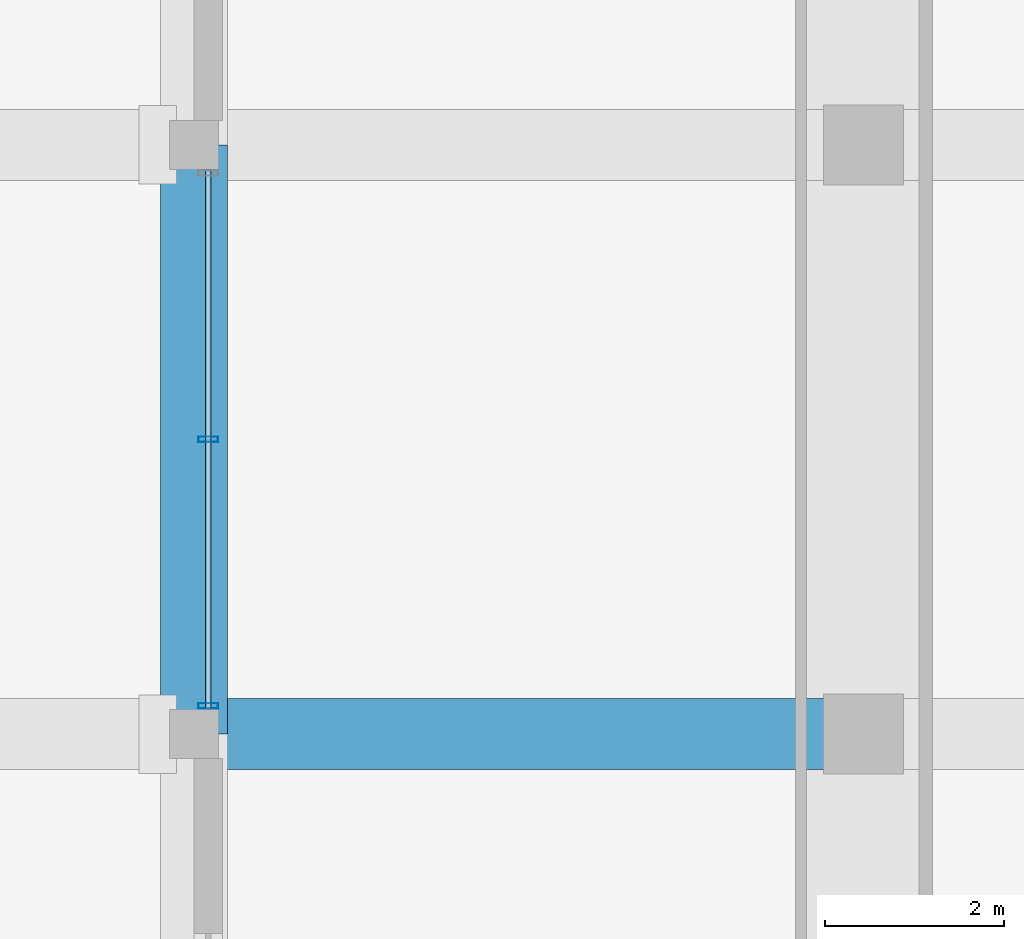
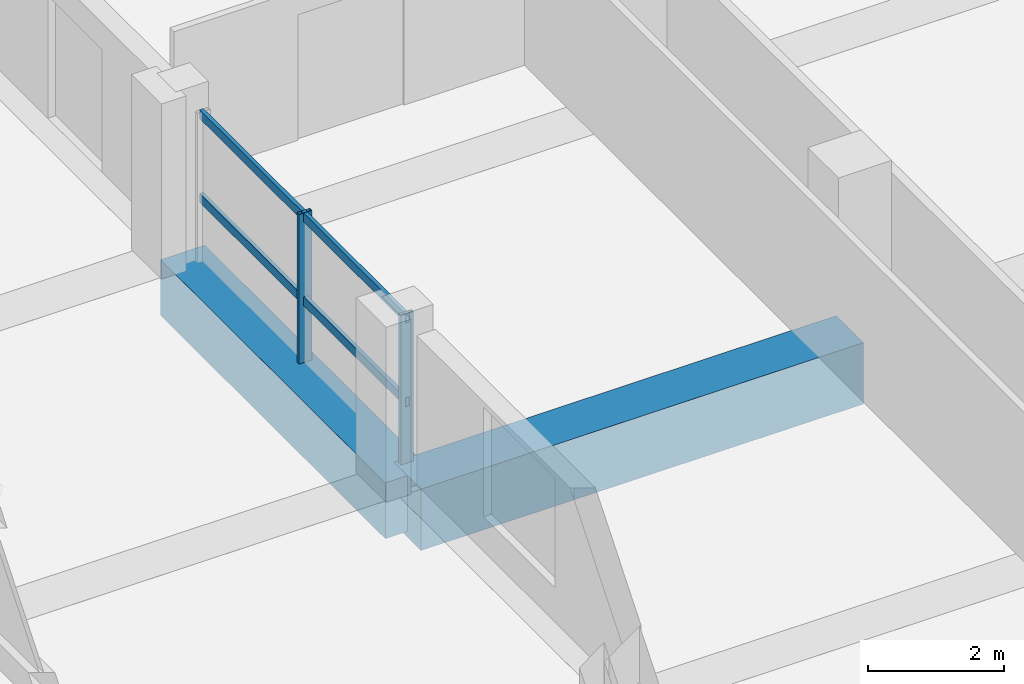
# One storey, part 9 of 49: 4 members, 2 beams, 1 element without a shape of its own.
"""IFC4 building model written with IfcOpenShell, lengths in metres."""

from ifc_helpers import new_model, si_unit, direction, frame, origin, origin_2d, place, context, subcontext, project, spatial, rectangle, hollow_rectangle, extrude, material, material_profile, profile_set, type_object, element, aggregate, save


model = new_model("IFC4")

# Units and contexts
model_context = context("Model", 3, precision=1e-05, world=origin(), true_north=direction((0.0, 1.0)))
body_context = subcontext(model_context, "Body", "Model", "MODEL_VIEW")
ifc_project = project(units=[si_unit("LENGTHUNIT", "METRE"), si_unit("AREAUNIT", "SQUARE_METRE"), si_unit("VOLUMEUNIT", "CUBIC_METRE"), si_unit("PLANEANGLEUNIT", "RADIAN"), si_unit("MASSUNIT", "GRAM", prefix="KILO")], contexts=[model_context])

# Site, building, storey
site_placement = place(None, origin())
site = spatial("IfcSite", under=ifc_project, at=site_placement, CompositionType="ELEMENT")
building_placement = place(site_placement, origin())
building = spatial("IfcBuilding", under=site, at=building_placement, Name="Akrevak Sports Hall", CompositionType="ELEMENT")
storey_placement = place(building_placement, frame((0.0, 0.0, 24.14990234375)))
storey = spatial("IfcBuildingStorey", under=building, at=storey_placement, Name="L04", CompositionType="ELEMENT", Elevation=24.14990234375)

# Curtain wall, members
ifc_material_1 = material(Name="Anodized Bronze Aluminium & Low-E Glass", Category="aluminium")
curtain_wall_type = type_object("IfcCurtainWallType", Name="ARC-CW-TWR-72x30", PredefinedType="NOTDEFINED", material=ifc_material_1)
curtain_wall_placement = place(storey_placement, origin())
curtain_wall = element("IfcCurtainWall", 1, at=curtain_wall_placement, inside=storey, type_object=curtain_wall_type, Name="Curtain Wall CW-L04-W33", PredefinedType="NOTDEFINED")
ifc_material_2 = material(Name="Anodized Bronze Aluminium", Category="aluminium")
ifc_material_profile_1 = material_profile(ifc_material_2, hollow_rectangle(XDim=0.06494140625, YDim=0.219970703125, WallThickness=0.00439453125, at=origin_2d()), Name="CWM 65x220", Category="aluminium")
ifc_profile_set_1 = profile_set([ifc_material_profile_1], Name="Anodized Bronze Aluminium")
member_type_1 = type_object("IfcMemberType", Name="ARC-CWM-70x160", PredefinedType="MULLION", material=ifc_profile_set_1)
member_1_placement = place(storey_placement, frame((37.659912109375, 45.300048828125, 0.0), z_axis=(0.0, 0.0, 1.0), x_axis=(0.0, -1.0, 0.0)))
member_1 = element("IfcMember", 2, at=member_1_placement, type_object=member_type_1, Name="Curtain Wall Mullion CW-L04-W33-M2", PredefinedType="MULLION", context=body_context, shape_type="SweptSolid", body=[
    extrude(hollow_rectangle(XDim=0.06494140625, YDim=0.219970703125, WallThickness=0.00439453125, at=origin_2d()), origin(), (0.0, 0.0, 1.0), 2.68017578125),
])
member_2_placement = place(storey_placement, frame((37.659912109375, 42.31494140625, 0.0), z_axis=(0.0, 0.0, 1.0), x_axis=(0.0, -1.0, 0.0)))
member_2 = element("IfcMember", 3, at=member_2_placement, type_object=member_type_1, Name="Curtain Wall Mullion CW-L04-W33-M3", PredefinedType="MULLION", context=body_context, shape_type="SweptSolid", body=[
    extrude(hollow_rectangle(XDim=0.06494140625, YDim=0.219970703125, WallThickness=0.00439453125, at=origin_2d()), origin(), (0.0, 0.0, 1.0), 2.68017578125),
])
ifc_material_profile_2 = material_profile(ifc_material_2, hollow_rectangle(XDim=0.06494140625, YDim=0.159912109375, WallThickness=0.00390625, at=origin_2d()), Name="CWT 65x160", Category="aluminium")
ifc_profile_set_2 = profile_set([ifc_material_profile_2], Name="Anodized Bronze Aluminium")
member_type_2 = type_object("IfcMemberType", Name="ARC-CWT-70x130", PredefinedType="USERDEFINED", material=ifc_profile_set_2)
member_3_placement = place(storey_placement, frame((37.659912109375, 48.324951171875, 1.10009765625), z_axis=(0.0, -1.0, 0.0), x_axis=(1.0, 0.0, 0.0)))
member_3 = element("IfcMember", 4, at=member_3_placement, type_object=member_type_2, Name="Curtain Wall Transom CW-L04-W33-T1", ObjectType="TRANSOM", PredefinedType="USERDEFINED", context=body_context, shape_type="SweptSolid", body=[
    extrude(hollow_rectangle(XDim=0.06494140625, YDim=0.159912109375, WallThickness=0.00390625, at=origin_2d()), origin(), (0.0, 0.0, 1.0), 6.050048828125),
])
member_4_placement = place(storey_placement, frame((37.659912109375, 48.324951171875, 2.60009765625), z_axis=(0.0, -1.0, 0.0), x_axis=(1.0, 0.0, 0.0)))
member_4 = element("IfcMember", 5, at=member_4_placement, type_object=member_type_2, Name="Curtain Wall Transom CW-L04-W33-T2", ObjectType="TRANSOM", PredefinedType="USERDEFINED", context=body_context, shape_type="SweptSolid", body=[
    extrude(hollow_rectangle(XDim=0.06494140625, YDim=0.159912109375, WallThickness=0.00390625, at=origin_2d()), origin(), (0.0, 0.0, 1.0), 6.050048828125),
])
aggregate(curtain_wall, [member_1, member_2, member_3, member_4])

# Beams
ifc_material_3 = material(Name="Concrete C50/60", Category="concrete")
ifc_material_profile_3 = material_profile(ifc_material_3, rectangle(XDim=0.75, YDim=1.0, at=origin_2d()), Name="BM 750x1000", Category="concrete")
ifc_profile_set_3 = profile_set([ifc_material_profile_3], Name="Concrete C50/60")
beam_type_1 = type_object("IfcBeamType", Name="STR-BM-RC750x1000", PredefinedType="BEAM", material=ifc_profile_set_3)
beam_1_placement = place(storey_placement, frame((37.5, 42.0, -0.5), z_axis=(0.0, 1.0, 0.0), x_axis=(-1.0, 0.0, 0.0)))
element("IfcBeam", 6, at=beam_1_placement, inside=storey, type_object=beam_type_1, Name="Girder 6/G-H (L04)", PredefinedType="BEAM", context=body_context, shape_type="SweptSolid", body=[
    extrude(rectangle(XDim=0.75, YDim=1.0, at=origin_2d()), origin(), (0.0, 0.0, 1.0), 6.60009765625),
])
ifc_material_profile_4 = material_profile(ifc_material_3, rectangle(XDim=0.800048828125, YDim=1.10009765625, at=origin_2d()), Name="BM 800x1100", Category="concrete")
ifc_profile_set_4 = profile_set([ifc_material_profile_4], Name="Concrete C50/60")
beam_type_2 = type_object("IfcBeamType", Name="STR-BM-RC800x1100", PredefinedType="BEAM", material=ifc_profile_set_4)
beam_2_placement = place(storey_placement, frame((37.5, 42.0, -0.5498046875), z_axis=(1.0, 0.0, 0.0), x_axis=(0.0, 1.0, 0.0)))
element("IfcBeam", 7, at=beam_2_placement, inside=storey, type_object=beam_type_2, Name="Girder G/6-7 (L04)", PredefinedType="BEAM", context=body_context, shape_type="SweptSolid", body=[
    extrude(rectangle(XDim=0.800048828125, YDim=1.10009765625, at=origin_2d()), origin(), (0.0, 0.0, 1.0), 7.5),
])

save(model, "model.ifc")
